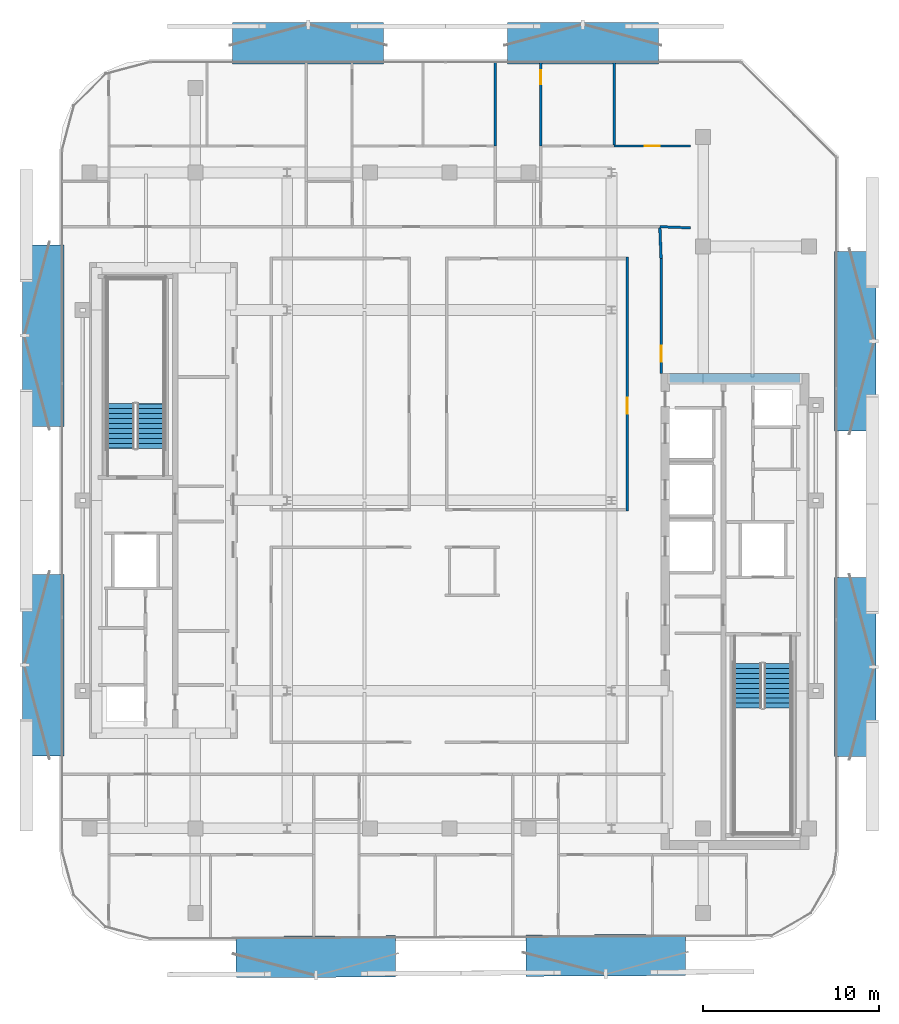
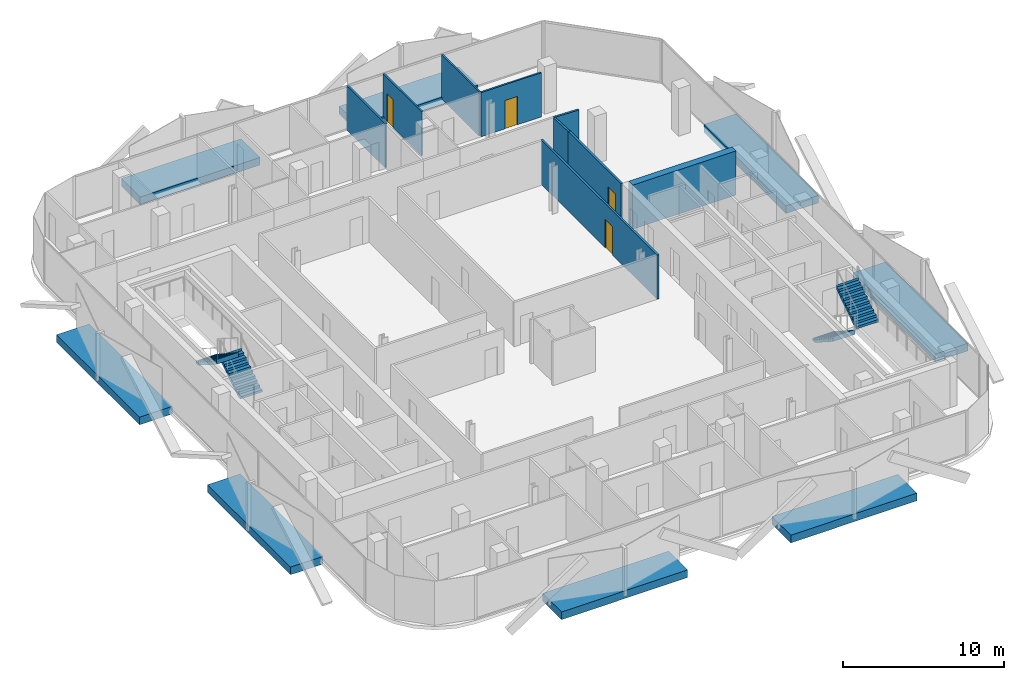
# One storey, part 7 of 15: 9 walls, 8 discrete accessories, 4 doors, 4 stair flights, 4 openings, 2 elements without a shape of their own.
"""IFC4 building model written with IfcOpenShell, lengths in metres."""

from ifc_helpers import new_model, si_unit, direction, frame, frame_2d, origin, origin_2d, place, context, subcontext, project, spatial, polyline, rectangle, outline, extrude, material, layer, layer_set, type_object, element, fill, aggregate, save


model = new_model("IFC4")

# Units and contexts
model_context = context("Model", 3, precision=1e-05, world=origin(), true_north=direction((0.0, 1.0)))
body_context = subcontext(model_context, "Body", "Model", "MODEL_VIEW")
ifc_project = project(units=[si_unit("LENGTHUNIT", "METRE"), si_unit("AREAUNIT", "SQUARE_METRE"), si_unit("VOLUMEUNIT", "CUBIC_METRE"), si_unit("PLANEANGLEUNIT", "RADIAN"), si_unit("MASSUNIT", "GRAM", prefix="KILO")], contexts=[model_context])

# Site, building, storey
site_placement = place(None, origin())
site = spatial("IfcSite", under=ifc_project, at=site_placement, CompositionType="ELEMENT")
building_placement = place(site_placement, origin())
building = spatial("IfcBuilding", under=site, at=building_placement, Name="Khairoan Windgate Tower", CompositionType="ELEMENT")
storey_placement = place(building_placement, frame((0.0, 0.0, 244.0)))
storey = spatial("IfcBuildingStorey", under=building, at=storey_placement, Name="L57", CompositionType="ELEMENT", Elevation=244.0)

# Walls
ifc_material_1 = material(Name="Acoustic Fire-Rated Gypsum Partition", Category="gypsum")
ifc_layer_1 = layer(ifc_material_1, 0.139892578125, Name="Acoustic Fire-Rated Gypsum Partition")
ifc_layer_set_1 = layer_set([ifc_layer_1], Name="Acoustic Fire-Rated Gypsum Partition")
wall_type_1 = type_object("IfcWallType", Name="Inter-Tenancy Compartment Wall", PredefinedType="PARTITIONING", material=ifc_layer_set_1)
wall_1_placement = place(storey_placement, frame((2.60009765625, 20.10009765625, 0.0), z_axis=(0.0, 0.0, 1.0), x_axis=(0.0, 1.0, 0.0)))
element("IfcWall", 1, at=wall_1_placement, inside=storey, type_object=wall_type_1, Name="L57 Interior Partition 060", PredefinedType="PARTITIONING", context=body_context, shape_type="SweptSolid", body=[
    extrude(rectangle(XDim=4.7548828125, YDim=0.139892578125, at=frame_2d((2.37744140625, 0.0))), origin(), (0.0, 0.0, 1.0), 3.340087890625),
])
wall_2_placement = place(storey_placement, frame((11.93994140625, 15.52490234375, 0.0), z_axis=(0.0, 0.0, 1.0), x_axis=(0.999304229002, -0.037296888581, 0.0)))
element("IfcWall", 2, at=wall_2_placement, inside=storey, type_object=wall_type_1, Name="L57 Interior Partition 067", PredefinedType="PARTITIONING", context=body_context, shape_type="SweptSolid", body=[
    extrude(rectangle(XDim=1.7412109375, YDim=0.139892578125, at=frame_2d((0.87060546875, 0.0))), origin(), (0.0, 0.0, 1.0), 3.340087890625),
])

# Wall, opening, door
ifc_material_2 = material(Name="Gypsum Stud Partition", Category="gypsum")
ifc_layer_2 = layer(ifc_material_2, 0.1201171875, Name="Gypsum Stud Partition")
ifc_layer_set_2 = layer_set([ifc_layer_2], Name="Gypsum Stud Partition")
wall_type_2 = type_object("IfcWallType", Name="Internal Room Partition Wall", PredefinedType="PARTITIONING", material=ifc_layer_set_2)
wall_3_placement = place(storey_placement, frame((5.18994140625, 20.10009765625, 0.0), z_axis=(0.0, 0.0, 1.0), x_axis=(0.0, 1.0, 0.0)))
wall_3 = element("IfcWall", 3, at=wall_3_placement, inside=storey, type_object=wall_type_2, Name="L57 Interior Partition 064", PredefinedType="PARTITIONING", context=body_context, shape_type="SweptSolid", body=[
    extrude(rectangle(XDim=4.7548828125, YDim=0.1201171875, at=frame_2d((2.37744140625, 0.0))), origin(), (0.0, 0.0, 1.0), 3.340087890625),
])
opening_1_placement = place(wall_3_placement, frame((3.4951171875, 0.0, 0.0)))
opening_1 = element("IfcOpeningElement", 4, at=opening_1_placement, cuts=wall_3, Name="Opening ID-BTH", PredefinedType="OPENING", context=body_context, shape_type="SweptSolid", body=[
    extrude(rectangle(XDim=0.800048828125, YDim=2.10009765625, at=frame_2d((0.39990234375, 1.050048828125))), frame((0.0, 0.070068359375, 0.0), z_axis=(0.0, -1.0, 0.0), x_axis=(1.0, 0.0, 0.0)), (0.0, 0.0, 1.0), 0.14013671875),
])
ifc_material_3 = material(Name="Teak Veneer Timber Leaf", Category="wood")
door_type_1 = type_object("IfcDoorType", Name="Internal Bathroom Door ID-BTH 800x2100", OperationType="NOTDEFINED", PredefinedType="DOOR", material=ifc_material_3)
door_1_placement = place(opening_1_placement, origin())
door_1 = element("IfcDoor", 5, at=door_1_placement, inside=storey, type_object=door_type_1, Name="L57 L57-44-L57-46 Door", OperationType="SINGLE_SWING_RIGHT", OverallHeight=2.10009765625, OverallWidth=0.800048828125, PredefinedType="DOOR", context=body_context, shape_type="SweptSolid", body=[
    extrude(rectangle(XDim=0.800048828125, YDim=2.10009765625, at=frame_2d((0.39990234375, 1.050048828125))), frame((0.0, 0.02490234375, 0.0), z_axis=(0.0, -1.0, 0.0), x_axis=(1.0, 0.0, 0.0)), (0.0, 0.0, 1.0), 0.050048828125),
])
fill(opening_1, door_1)

wall_4_placement = place(storey_placement, frame((9.35498046875, 20.10009765625, 0.0), z_axis=(0.0, 0.0, 1.0), x_axis=(1.0, 0.0, 0.0)))
wall_4 = element("IfcWall", 6, at=wall_4_placement, inside=storey, type_object=wall_type_2, Name="L57 Interior Partition 066", PredefinedType="PARTITIONING", context=body_context, shape_type="SweptSolid", body=[
    extrude(rectangle(XDim=4.324951171875, YDim=0.1201171875, at=frame_2d((2.16259765625, 0.0))), origin(), (0.0, 0.0, 1.0), 3.340087890625),
])
opening_2_placement = place(wall_4_placement, frame((1.732421875, 0.0, 0.0)))
opening_2 = element("IfcOpeningElement", 7, at=opening_2_placement, cuts=wall_4, Name="Opening ID-RM", PredefinedType="OPENING", context=body_context, shape_type="SweptSolid", body=[
    extrude(rectangle(XDim=0.860107421875, YDim=2.14990234375, at=frame_2d((0.43017578125, 1.074951171875))), frame((0.0, 0.070068359375, 0.0), z_axis=(0.0, -1.0, 0.0), x_axis=(1.0, 0.0, 0.0)), (0.0, 0.0, 1.0), 0.14013671875),
])
ifc_material_4 = material(Name="Teak Veneer Timber Leaf", Category="wood")
door_type_2 = type_object("IfcDoorType", Name="Internal Bedroom and Office Door ID-RM 860x2150", OperationType="NOTDEFINED", PredefinedType="DOOR", material=ifc_material_4)
door_2_placement = place(opening_2_placement, origin())
door_2 = element("IfcDoor", 8, at=door_2_placement, inside=storey, type_object=door_type_2, Name="L57 L57-45-L57-47 Door", OperationType="SINGLE_SWING_RIGHT", OverallHeight=2.14990234375, OverallWidth=0.860107421875, PredefinedType="DOOR", context=body_context, shape_type="SweptSolid", body=[
    extrude(rectangle(XDim=0.860107421875, YDim=2.14990234375, at=frame_2d((0.43017578125, 1.074951171875))), frame((0.0, 0.02490234375, 0.0), z_axis=(0.0, -1.0, 0.0), x_axis=(1.0, 0.0, 0.0)), (0.0, 0.0, 1.0), 0.050048828125),
])
fill(opening_2, door_2)

# Wall
wall_5_placement = place(storey_placement, frame((9.35498046875, 20.159912109375, 0.0), z_axis=(0.0, 0.0, 1.0), x_axis=(0.0, 1.0, 0.0)))
element("IfcWall", 9, at=wall_5_placement, inside=storey, type_object=wall_type_2, Name="L57 Interior Partition 068", PredefinedType="PARTITIONING", context=body_context, shape_type="SweptSolid", body=[
    extrude(rectangle(XDim=4.695068359375, YDim=0.1201171875, at=frame_2d((2.34765625, 0.0))), origin(), (0.0, 0.0, 1.0), 3.340087890625),
])

# Wall, opening, door
ifc_material_5 = material(Name="Acoustic Fire-Rated Gypsum Partition", Category="gypsum")
ifc_layer_3 = layer(ifc_material_5, 0.14990234375, Name="Acoustic Fire-Rated Gypsum Partition")
ifc_layer_set_3 = layer_set([ifc_layer_3], Name="Acoustic Fire-Rated Gypsum Partition")
wall_type_3 = type_object("IfcWallType", Name="Rated Corridor Partition Wall", PredefinedType="PARTITIONING", material=ifc_layer_set_3)
wall_6_placement = place(storey_placement, frame((12.014892578125, 7.199951171875, 0.0), z_axis=(0.0, 0.0, 1.0), x_axis=(0.0, 1.0, 0.0)))
wall_6 = element("IfcWall", 10, at=wall_6_placement, inside=storey, type_object=wall_type_3, Name="L57 Interior Partition 015", PredefinedType="PARTITIONING", context=body_context, shape_type="SweptSolid", body=[
    extrude(rectangle(XDim=6.52001953125, YDim=0.14990234375, at=frame_2d((3.260009765625, 0.0))), origin(), (0.0, 0.0, 1.0), 3.340087890625),
])
opening_3_placement = place(wall_6_placement, frame((0.669921875, 0.0, 0.0)))
opening_3 = element("IfcOpeningElement", 11, at=opening_3_placement, cuts=wall_6, Name="Opening FD-ENT", PredefinedType="OPENING", context=body_context, shape_type="SweptSolid", body=[
    extrude(rectangle(XDim=0.89990234375, YDim=2.14990234375, at=frame_2d((0.449951171875, 1.074951171875))), frame((0.0, 0.0849609375, 0.0), z_axis=(0.0, -1.0, 0.0), x_axis=(1.0, 0.0, 0.0)), (0.0, 0.0, 1.0), 0.169921875),
])
ifc_material_6 = material(Name="Timber Fire-Rated Core", Category="wood")
door_type_3 = type_object("IfcDoorType", Name="Unit and Office Fire Entrance Door FD-ENT 900x2150", OperationType="NOTDEFINED", PredefinedType="DOOR", material=ifc_material_6)
door_3_placement = place(opening_3_placement, origin())
door_3 = element("IfcDoor", 12, at=door_3_placement, inside=storey, type_object=door_type_3, Name="L57 L57-28-L57-64 Door", OperationType="SINGLE_SWING_LEFT", OverallHeight=2.14990234375, OverallWidth=0.89990234375, PredefinedType="DOOR", context=body_context, shape_type="SweptSolid", body=[
    extrude(rectangle(XDim=0.89990234375, YDim=2.14990234375, at=frame_2d((0.449951171875, 1.074951171875))), frame((0.0, 0.02490234375, 0.0), z_axis=(0.0, -1.0, 0.0), x_axis=(1.0, 0.0, 0.0)), (0.0, 0.0, 1.0), 0.050048828125),
])
fill(opening_3, door_3)

wall_7_placement = place(storey_placement, frame((10.10009765625, -0.610107421875, 0.0), z_axis=(0.0, 0.0, 1.0), x_axis=(0.0, 1.0, 0.0)))
wall_7 = element("IfcWall", 13, at=wall_7_placement, inside=storey, type_object=wall_type_3, Name="L57 Interior Partition 016", PredefinedType="PARTITIONING", context=body_context, shape_type="SweptSolid", body=[
    extrude(rectangle(XDim=14.405029296875, YDim=0.14990234375, at=frame_2d((7.20263671875, 0.0))), origin(), (0.0, 0.0, 1.0), 3.340087890625),
])
opening_4_placement = place(wall_7_placement, frame((5.53466796875, 0.0, 0.0)))
opening_4 = element("IfcOpeningElement", 14, at=opening_4_placement, cuts=wall_7, Name="Opening FD-ENT", PredefinedType="OPENING", context=body_context, shape_type="SweptSolid", body=[
    extrude(rectangle(XDim=0.89990234375, YDim=2.14990234375, at=frame_2d((0.449951171875, 1.074951171875))), frame((0.0, 0.0849609375, 0.0), z_axis=(0.0, -1.0, 0.0), x_axis=(1.0, 0.0, 0.0)), (0.0, 0.0, 1.0), 0.169921875),
])
door_4_placement = place(opening_4_placement, origin())
door_4 = element("IfcDoor", 15, at=door_4_placement, inside=storey, type_object=door_type_3, Name="L57 L57-28-L57-67 Door", OperationType="SINGLE_SWING_RIGHT", OverallHeight=2.14990234375, OverallWidth=0.89990234375, PredefinedType="DOOR", context=body_context, shape_type="SweptSolid", body=[
    extrude(rectangle(XDim=0.89990234375, YDim=2.14990234375, at=frame_2d((0.449951171875, 1.074951171875))), frame((0.0, 0.02490234375, 0.0), z_axis=(0.0, -1.0, 0.0), x_axis=(1.0, 0.0, 0.0)), (0.0, 0.0, 1.0), 0.050048828125),
])
fill(opening_4, door_4)

# Walls
wall_8_placement = place(storey_placement, frame((12.014892578125, 13.719970703125, 0.0), z_axis=(0.0, 0.0, 1.0), x_axis=(-0.040046877756, 0.99919780203, 0.0)))
element("IfcWall", 16, at=wall_8_placement, inside=storey, type_object=wall_type_3, Name="L57 Interior Partition 030", PredefinedType="PARTITIONING", context=body_context, shape_type="SweptSolid", body=[
    extrude(rectangle(XDim=1.7314453125, YDim=0.14990234375, at=frame_2d((0.86572265625, 0.0))), origin(), (0.0, 0.0, 1.0), 3.340087890625),
])
ifc_material_7 = material(Name="Concrete C50/60", Category="concrete")
ifc_layer_4 = layer(ifc_material_7, 0.5, Name="Concrete C50/60")
ifc_layer_set_4 = layer_set([ifc_layer_4], Name="Concrete C50/60")
wall_type_4 = type_object("IfcWallType", Name="Shear Wall CW-E3 500mm", PredefinedType="SHEAR", material=ifc_layer_set_4)
wall_9_placement = place(storey_placement, frame((12.5, 6.949951171875, 0.0), z_axis=(0.0, 0.0, 1.0), x_axis=(1.0, 0.0, 0.0)))
element("IfcWall", 17, at=wall_9_placement, inside=storey, type_object=wall_type_4, Name="E Core North Shear Wall L57", PredefinedType="SHEAR", context=body_context, shape_type="SweptSolid", body=[
    extrude(rectangle(XDim=7.39990234375, YDim=0.5, at=frame_2d((3.699951171875, 0.0))), origin(), (0.0, 0.0, 1.0), 3.340087890625),
])

# Stair, stair flights
ifc_material_8 = material(Name="Concrete C40/50", Category="concrete")
stair_type = type_object("IfcStairType", Name="Tower Core Dog-Leg Stair ST-T1 1560mm", PredefinedType="HALF_TURN_STAIR", material=ifc_material_8)
stair_1_placement = place(storey_placement, origin())
stair_1 = element("IfcStair", 18, at=stair_1_placement, inside=storey, type_object=stair_type, Name="L57 Stair ST1", PredefinedType="HALF_TURN_STAIR")
ifc_material_9 = material(Name="Concrete C40/50", Category="concrete")
ifc_layer_5 = layer(ifc_material_9, 0.14990234375, Name="Concrete C40/50")
ifc_layer_set_5 = layer_set([ifc_layer_5], Name="Concrete C40/50")
stair_flight_type = type_object("IfcStairFlightType", Name="Tower Core Stair Flight STF-1560", PredefinedType="STRAIGHT", material=ifc_layer_set_5)
stair_flight_1_placement = place(storey_placement, frame((16.929931640625, -9.260009765625, 0.0), z_axis=(0.0, 0.0, 1.0), x_axis=(0.0, -1.0, 0.0)))
stair_flight_1 = element("IfcStairFlight", 19, at=stair_flight_1_placement, type_object=stair_flight_type, Name="ST1 flight 1", NumberOfRisers=10, NumberOfTreads=9, PredefinedType="STRAIGHT", RiserHeight=0.18, TreadLength=0.28, context=body_context, shape_type="SweptSolid", body=[
    extrude(outline(polyline([(-0.00390625, 0.0), (-0.00390625, 0.179931640625), (0.0, 0.179931640625), (0.280029296875, 0.179931640625), (0.280029296875, 0.360107421875), (0.56005859375, 0.360107421875), (0.56005859375, 0.5400390625), (0.840087890625, 0.5400390625), (0.840087890625, 0.719970703125), (1.1201171875, 0.719970703125), (1.1201171875, 0.89990234375), (1.39990234375, 0.89990234375), (1.39990234375, 1.080078125), (1.679931640625, 1.080078125), (1.679931640625, 1.260009765625), (1.9599609375, 1.260009765625), (1.9599609375, 1.43994140625), (2.239990234375, 1.43994140625), (2.239990234375, 1.6201171875), (2.52001953125, 1.6201171875), (2.52001953125, 1.800048828125), (2.52392578125, 1.800048828125), (2.52392578125, 1.44189453125), (0.277099609375, 0.0), (-0.00390625, 0.0)])), frame((0.0, 0.780029296875, 0.0), z_axis=(0.0, -1.0, 0.0), x_axis=(1.0, 0.0, 0.0)), (0.0, 0.0, 1.0), 1.56005859375),
])
stair_flight_2_placement = place(storey_placement, frame((18.639892578125, -11.780029296875, 1.800048828125), z_axis=(0.0, 0.0, 1.0), x_axis=(0.0, 1.0, 0.0)))
stair_flight_2 = element("IfcStairFlight", 20, at=stair_flight_2_placement, type_object=stair_flight_type, Name="ST1 flight 2", NumberOfRisers=10, NumberOfTreads=9, PredefinedType="STRAIGHT", RiserHeight=0.18, TreadLength=0.28, context=body_context, shape_type="SweptSolid", body=[
    extrude(outline(polyline([(-0.00390625, 0.0), (-0.00390625, 0.179931640625), (0.0, 0.179931640625), (0.280029296875, 0.179931640625), (0.280029296875, 0.360107421875), (0.56005859375, 0.360107421875), (0.56005859375, 0.5400390625), (0.840087890625, 0.5400390625), (0.840087890625, 0.719970703125), (1.1201171875, 0.719970703125), (1.1201171875, 0.89990234375), (1.39990234375, 0.89990234375), (1.39990234375, 1.080078125), (1.679931640625, 1.080078125), (1.679931640625, 1.260009765625), (1.9599609375, 1.260009765625), (1.9599609375, 1.43994140625), (2.239990234375, 1.43994140625), (2.239990234375, 1.6201171875), (2.52001953125, 1.6201171875), (2.52001953125, 1.800048828125), (2.52392578125, 1.800048828125), (2.52392578125, 1.44189453125), (0.277099609375, 0.0), (-0.00390625, 0.0)])), frame((0.0, 0.780029296875, 0.0), z_axis=(0.0, -1.0, 0.0), x_axis=(1.0, 0.0, 0.0)), (0.0, 0.0, 1.0), 1.56005859375),
])
aggregate(stair_1, [stair_flight_1, stair_flight_2])

stair_2_placement = place(storey_placement, origin())
stair_2 = element("IfcStair", 21, at=stair_2_placement, inside=storey, type_object=stair_type, Name="L57 Stair ST2", PredefinedType="HALF_TURN_STAIR")
stair_flight_3_placement = place(storey_placement, frame((-16.929931640625, 2.9599609375, 0.0), z_axis=(0.0, 0.0, 1.0), x_axis=(0.0, 1.0, 0.0)))
stair_flight_3 = element("IfcStairFlight", 22, at=stair_flight_3_placement, type_object=stair_flight_type, Name="ST2 flight 1", NumberOfRisers=10, NumberOfTreads=9, PredefinedType="STRAIGHT", RiserHeight=0.18, TreadLength=0.28, context=body_context, shape_type="SweptSolid", body=[
    extrude(outline(polyline([(-0.00390625, 0.0), (-0.00390625, 0.179931640625), (0.0, 0.179931640625), (0.280029296875, 0.179931640625), (0.280029296875, 0.360107421875), (0.56005859375, 0.360107421875), (0.56005859375, 0.5400390625), (0.840087890625, 0.5400390625), (0.840087890625, 0.719970703125), (1.1201171875, 0.719970703125), (1.1201171875, 0.89990234375), (1.39990234375, 0.89990234375), (1.39990234375, 1.080078125), (1.679931640625, 1.080078125), (1.679931640625, 1.260009765625), (1.9599609375, 1.260009765625), (1.9599609375, 1.43994140625), (2.239990234375, 1.43994140625), (2.239990234375, 1.6201171875), (2.52001953125, 1.6201171875), (2.52001953125, 1.800048828125), (2.52392578125, 1.800048828125), (2.52392578125, 1.44189453125), (0.277099609375, 0.0), (-0.00390625, 0.0)])), frame((0.0, 0.780029296875, 0.0), z_axis=(0.0, -1.0, 0.0), x_axis=(1.0, 0.0, 0.0)), (0.0, 0.0, 1.0), 1.56005859375),
])
stair_flight_4_placement = place(storey_placement, frame((-18.639892578125, 5.47998046875, 1.800048828125), z_axis=(0.0, 0.0, 1.0), x_axis=(0.0, -1.0, 0.0)))
stair_flight_4 = element("IfcStairFlight", 23, at=stair_flight_4_placement, type_object=stair_flight_type, Name="ST2 flight 2", NumberOfRisers=10, NumberOfTreads=9, PredefinedType="STRAIGHT", RiserHeight=0.18, TreadLength=0.28, context=body_context, shape_type="SweptSolid", body=[
    extrude(outline(polyline([(-0.00390625, 0.0), (-0.00390625, 0.179931640625), (0.0, 0.179931640625), (0.280029296875, 0.179931640625), (0.280029296875, 0.360107421875), (0.56005859375, 0.360107421875), (0.56005859375, 0.5400390625), (0.840087890625, 0.5400390625), (0.840087890625, 0.719970703125), (1.1201171875, 0.719970703125), (1.1201171875, 0.89990234375), (1.39990234375, 0.89990234375), (1.39990234375, 1.080078125), (1.679931640625, 1.080078125), (1.679931640625, 1.260009765625), (1.9599609375, 1.260009765625), (1.9599609375, 1.43994140625), (2.239990234375, 1.43994140625), (2.239990234375, 1.6201171875), (2.52001953125, 1.6201171875), (2.52001953125, 1.800048828125), (2.52392578125, 1.800048828125), (2.52392578125, 1.44189453125), (0.277099609375, 0.0), (-0.00390625, 0.0)])), frame((0.0, 0.780029296875, 0.0), z_axis=(0.0, -1.0, 0.0), x_axis=(1.0, 0.0, 0.0)), (0.0, 0.0, 1.0), 1.56005859375),
])
aggregate(stair_2, [stair_flight_3, stair_flight_4])

# Discrete accessories
ifc_material_10 = material(Name="Steel S355", Category="steel")
discrete_accessory_type = type_object("IfcDiscreteAccessoryType", Name="Solar Screen Outrigger Slab Bracket SSB-1", PredefinedType="BRACKET", material=ifc_material_10)
for number, where, z_axis, x_axis, name in (
    (24, (8.8701171875, -25.80517578125, -0.419921875), (0.0, 0.0, 1.0), (-0.999988059021, -0.004886902454, 0.0), "L57 Solar Screen Outrigger Bracket 385"),
    (25, (-7.567138671875, -25.884521484375, -0.419921875), (0.0, 0.0, 1.0), (-0.999988059021, -0.004886902454, 0.0), "L57 Solar Screen Outrigger Bracket 386"),
):
    element("IfcDiscreteAccessory", number, at=place(storey_placement, frame(where, z_axis=z_axis, x_axis=x_axis)), inside=storey, type_object=discrete_accessory_type, Name=name, PredefinedType="BRACKET", context=body_context, shape_type="SweptSolid", body=[
        extrude(rectangle(XDim=9.041015625, YDim=2.340087890625, at=origin_2d()), origin(), (0.0, 0.0, 1.0), 0.580078125),
    ])
for number, where, z_axis, x_axis, name in (
    (26, (-23.030029296875, -9.345458984375, -0.419921875), (0.0, 0.0, 1.0), (0.0, 1.0, 0.0), "L57 Solar Screen Outrigger Bracket 387"),
    (27, (-23.030029296875, 9.345458984375, -0.419921875), (0.0, 0.0, 1.0), (0.0, 1.0, 0.0), "L57 Solar Screen Outrigger Bracket 388"),
):
    element("IfcDiscreteAccessory", number, at=place(storey_placement, frame(where, z_axis=z_axis, x_axis=x_axis)), inside=storey, type_object=discrete_accessory_type, Name=name, PredefinedType="BRACKET", context=body_context, shape_type="SweptSolid", body=[
        extrude(rectangle(XDim=10.280029296875, YDim=2.340087890625, at=origin_2d()), origin(), (0.0, 0.0, 1.0), 0.580078125),
    ])
for number, where, z_axis, x_axis, name in (
    (28, (-8.002685546875, 25.929931640625, -0.419921875), (0.0, 0.0, 1.0), (1.0, 0.0, 0.0), "L57 Solar Screen Outrigger Bracket 389"),
    (29, (7.57373046875, 25.929931640625, -0.419921875), (0.0, 0.0, 1.0), (1.0, 0.0, 0.0), "L57 Solar Screen Outrigger Bracket 390"),
):
    element("IfcDiscreteAccessory", number, at=place(storey_placement, frame(where, z_axis=z_axis, x_axis=x_axis)), inside=storey, type_object=discrete_accessory_type, Name=name, PredefinedType="BRACKET", context=body_context, shape_type="SweptSolid", body=[
        extrude(rectangle(XDim=8.56689453125, YDim=2.340087890625, at=origin_2d()), origin(), (0.0, 0.0, 1.0), 0.580078125),
    ])
for number, where, z_axis, x_axis, name in (
    (30, (23.030029296875, 9.023681640625, -0.419921875), (0.0, 0.0, 1.0), (0.0, -1.0, 0.0), "L57 Solar Screen Outrigger Bracket 391"),
    (31, (23.030029296875, -9.45263671875, -0.419921875), (0.0, 0.0, 1.0), (0.0, -1.0, 0.0), "L57 Solar Screen Outrigger Bracket 392"),
):
    element("IfcDiscreteAccessory", number, at=place(storey_placement, frame(where, z_axis=z_axis, x_axis=x_axis)), inside=storey, type_object=discrete_accessory_type, Name=name, PredefinedType="BRACKET", context=body_context, shape_type="SweptSolid", body=[
        extrude(rectangle(XDim=10.162109375, YDim=2.340087890625, at=origin_2d()), origin(), (0.0, 0.0, 1.0), 0.580078125),
    ])

save(model, "model.ifc")
